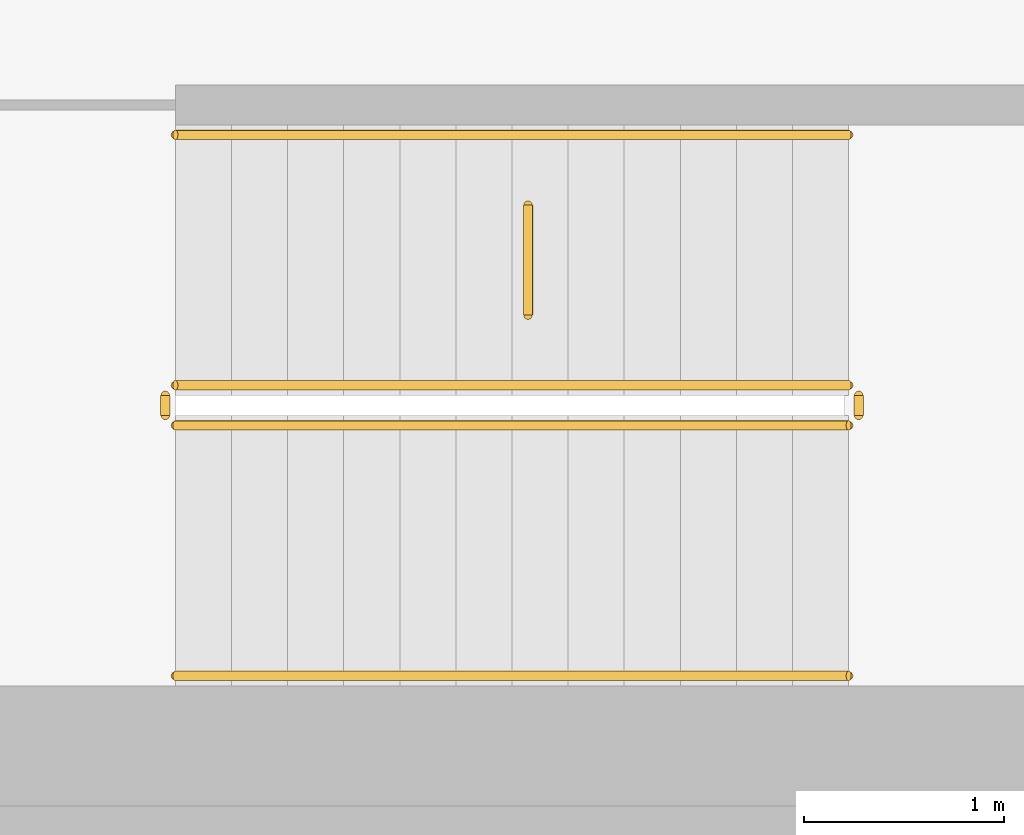
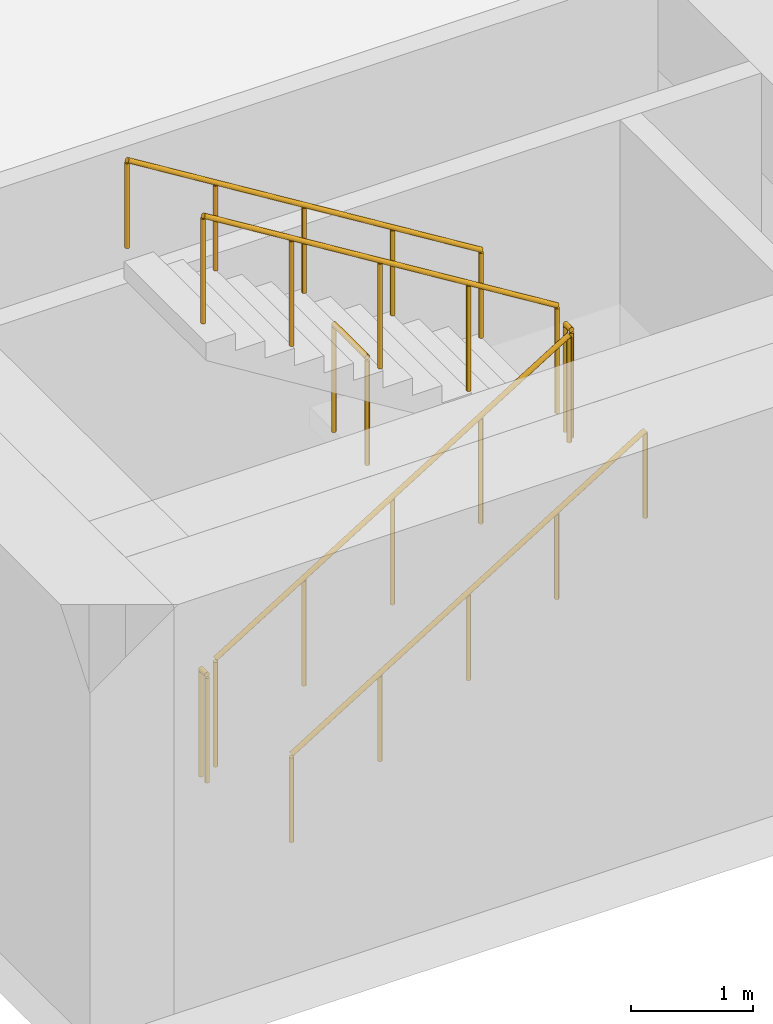
# One storey, part 15 of 21: 7 railings.
"""IFC4 building model written with IfcOpenShell, lengths in metres."""

from ifc_helpers import new_model, si_unit, direction, frame, origin, origin_2d, place, context, subcontext, project, spatial, circle, extrude, material, type_object, element, save


model = new_model("IFC4")

# Units and contexts
model_context = context("Model", 3, precision=1e-05, world=origin(), true_north=direction((0.0, 1.0)))
body_context = subcontext(model_context, "Body", "Model", "MODEL_VIEW")
ifc_project = project(units=[si_unit("LENGTHUNIT", "METRE"), si_unit("AREAUNIT", "SQUARE_METRE"), si_unit("VOLUMEUNIT", "CUBIC_METRE"), si_unit("PLANEANGLEUNIT", "RADIAN"), si_unit("MASSUNIT", "GRAM", prefix="KILO")], contexts=[model_context])

# Site, building, storey
site_placement = place(None, origin())
site = spatial("IfcSite", under=ifc_project, at=site_placement, CompositionType="ELEMENT")
building_placement = place(site_placement, origin())
building = spatial("IfcBuilding", under=site, at=building_placement, Name="Stone Belt Terrace Tower", CompositionType="ELEMENT")
storey_placement = place(building_placement, frame((0.0, 0.0, -9.0)))
storey = spatial("IfcBuildingStorey", under=building, at=storey_placement, Name="B2", CompositionType="ELEMENT", Elevation=-9.0)

# Railings
ifc_material_1 = material(Name="Structural steel C345", Category="steel")
railing_type_1 = type_object("IfcRailingType", Name="Car park guard 1100", PredefinedType="GUARDRAIL", material=ifc_material_1)
railing_1_placement = place(storey_placement, frame((-30.75, -48.800048828125, 0.173095703125)))
element("IfcRailing", 1, at=railing_1_placement, inside=storey, type_object=railing_type_1, Name="B2 CS1 stair guard 1", PredefinedType="GUARDRAIL", context=body_context, shape_type="SweptSolid", body=[
    extrude(circle(Radius=0.02392578125, at=origin_2d()), frame((0.0, 0.0, 1.076171875), z_axis=(0.850623216509, 0.0, 0.525775754039), x_axis=(0.0, 1.0, 0.0)), (0.0, 0.0, 1.0), 3.9501953125),
    extrude(circle(Radius=0.02099609375, at=origin_2d()), origin(), (0.0, 0.0, 1.0), 1.052001953125),
    extrude(circle(Radius=0.02099609375, at=origin_2d()), frame((0.840087890625, 0.0, 0.519287109375)), (0.0, 0.0, 1.0), 1.052001953125),
    extrude(circle(Radius=0.02099609375, at=origin_2d()), frame((1.68017578125, 0.0, 1.03857421875)), (0.0, 0.0, 1.0), 1.052001953125),
    extrude(circle(Radius=0.02099609375, at=origin_2d()), frame((2.52001953125, 0.0, 1.5576171875)), (0.0, 0.0, 1.0), 1.052001953125),
    extrude(circle(Radius=0.02099609375, at=origin_2d()), frame((3.360107421875, 0.0, 2.076904296875)), (0.0, 0.0, 1.0), 1.052001953125),
])
railing_2_placement = place(storey_placement, frame((-27.340087890625, -48.75, 2.25)))
element("IfcRailing", 2, at=railing_2_placement, inside=storey, type_object=railing_type_1, Name="B2 CS1 stair guard 2", PredefinedType="GUARDRAIL", context=body_context, shape_type="SweptSolid", body=[
    extrude(circle(Radius=0.02392578125, at=origin_2d()), frame((0.0, 0.0, 1.076171875), z_axis=(0.0, 1.0, 0.0), x_axis=(-1.0, 0.0, 0.0)), (0.0, 0.0, 1.0), 0.10009765625),
    extrude(circle(Radius=0.02099609375, at=origin_2d()), origin(), (0.0, 0.0, 1.0), 1.052001953125),
    extrude(circle(Radius=0.02099609375, at=origin_2d()), frame((0.0, 0.10009765625, 0.0)), (0.0, 0.0, 1.0), 1.052001953125),
])
railing_3_placement = place(storey_placement, frame((-27.389892578125, -48.60009765625, 2.423095703125)))
element("IfcRailing", 3, at=railing_3_placement, inside=storey, type_object=railing_type_1, Name="B2 CS1 stair guard 3", PredefinedType="GUARDRAIL", context=body_context, shape_type="SweptSolid", body=[
    extrude(circle(Radius=0.02392578125, at=origin_2d()), frame((0.0, 0.0, 1.076171875), z_axis=(-0.850623216509, 0.0, 0.525775754039), x_axis=(0.0, -1.0, 0.0)), (0.0, 0.0, 1.0), 3.9501953125),
    extrude(circle(Radius=0.02099609375, at=origin_2d()), origin(), (0.0, 0.0, 1.0), 1.052001953125),
    extrude(circle(Radius=0.02099609375, at=origin_2d()), frame((-0.840087890625, 0.0, 0.519287109375)), (0.0, 0.0, 1.0), 1.052001953125),
    extrude(circle(Radius=0.02099609375, at=origin_2d()), frame((-1.68017578125, 0.0, 1.03857421875)), (0.0, 0.0, 1.0), 1.052001953125),
    extrude(circle(Radius=0.02099609375, at=origin_2d()), frame((-2.52001953125, 0.0, 1.5576171875)), (0.0, 0.0, 1.0), 1.052001953125),
    extrude(circle(Radius=0.02099609375, at=origin_2d()), frame((-3.360107421875, 0.0, 2.076904296875)), (0.0, 0.0, 1.0), 1.052001953125),
])
railing_4_placement = place(storey_placement, frame((-30.800048828125, -48.75, 0.0)))
element("IfcRailing", 4, at=railing_4_placement, inside=storey, type_object=railing_type_1, Name="B2 CS1 stair guard 4", PredefinedType="GUARDRAIL", context=body_context, shape_type="SweptSolid", body=[
    extrude(circle(Radius=0.02392578125, at=origin_2d()), frame((0.0, 0.0, 1.076171875), z_axis=(0.0, 1.0, 0.0), x_axis=(-1.0, 0.0, 0.0)), (0.0, 0.0, 1.0), 0.10009765625),
    extrude(circle(Radius=0.02099609375, at=origin_2d()), origin(), (0.0, 0.0, 1.0), 1.052001953125),
    extrude(circle(Radius=0.02099609375, at=origin_2d()), frame((0.0, 0.10009765625, 0.0)), (0.0, 0.0, 1.0), 1.052001953125),
])
railing_5_placement = place(storey_placement, frame((-28.989990234375, -48.25, 2.25)))
element("IfcRailing", 5, at=railing_5_placement, inside=storey, type_object=railing_type_1, Name="Car park stair landing guard", PredefinedType="GUARDRAIL", context=body_context, shape_type="SweptSolid", body=[
    extrude(circle(Radius=0.02392578125, at=origin_2d()), frame((0.0, 0.0, 1.076171875), z_axis=(0.0, 1.0, 0.0), x_axis=(-1.0, 0.0, 0.0)), (0.0, 0.0, 1.0), 0.550048828125),
    extrude(circle(Radius=0.02099609375, at=origin_2d()), origin(), (0.0, 0.0, 1.0), 1.052001953125),
    extrude(circle(Radius=0.02099609375, at=origin_2d()), frame((0.0, 0.550048828125, 0.0)), (0.0, 0.0, 1.0), 1.052001953125),
])
ifc_material_2 = material(Name="Stainless steel", Category="steel")
railing_type_2 = type_object("IfcRailingType", Name="Car park handrail 900", PredefinedType="HANDRAIL", material=ifc_material_2)
railing_6_placement = place(storey_placement, frame((-30.75, -50.050048828125, 0.173095703125)))
element("IfcRailing", 6, at=railing_6_placement, inside=storey, type_object=railing_type_2, Name="B2 CS1 stair handrail 1", PredefinedType="HANDRAIL", context=body_context, shape_type="SweptSolid", body=[
    extrude(circle(Radius=0.02392578125, at=origin_2d()), frame((0.0, 0.0, 0.8759765625), z_axis=(0.850623216509, 0.0, 0.525775754039), x_axis=(0.0, 1.0, 0.0)), (0.0, 0.0, 1.0), 3.9501953125),
    extrude(circle(Radius=0.02099609375, at=origin_2d()), origin(), (0.0, 0.0, 1.0), 0.851806640625),
    extrude(circle(Radius=0.02099609375, at=origin_2d()), frame((0.840087890625, 0.0, 0.519287109375)), (0.0, 0.0, 1.0), 0.851806640625),
    extrude(circle(Radius=0.02099609375, at=origin_2d()), frame((1.68017578125, 0.0, 1.03857421875)), (0.0, 0.0, 1.0), 0.851806640625),
    extrude(circle(Radius=0.02099609375, at=origin_2d()), frame((2.52001953125, 0.0, 1.5576171875)), (0.0, 0.0, 1.0), 0.851806640625),
    extrude(circle(Radius=0.02099609375, at=origin_2d()), frame((3.360107421875, 0.0, 2.076904296875)), (0.0, 0.0, 1.0), 0.851806640625),
])
railing_7_placement = place(storey_placement, frame((-27.389892578125, -47.35009765625, 2.423095703125)))
element("IfcRailing", 7, at=railing_7_placement, inside=storey, type_object=railing_type_2, Name="B2 CS1 stair handrail 2", PredefinedType="HANDRAIL", context=body_context, shape_type="SweptSolid", body=[
    extrude(circle(Radius=0.02392578125, at=origin_2d()), frame((0.0, 0.0, 0.8759765625), z_axis=(-0.850623216509, 0.0, 0.525775754039), x_axis=(0.0, -1.0, 0.0)), (0.0, 0.0, 1.0), 3.9501953125),
    extrude(circle(Radius=0.02099609375, at=origin_2d()), origin(), (0.0, 0.0, 1.0), 0.851806640625),
    extrude(circle(Radius=0.02099609375, at=origin_2d()), frame((-0.840087890625, 0.0, 0.519287109375)), (0.0, 0.0, 1.0), 0.851806640625),
    extrude(circle(Radius=0.02099609375, at=origin_2d()), frame((-1.68017578125, 0.0, 1.03857421875)), (0.0, 0.0, 1.0), 0.851806640625),
    extrude(circle(Radius=0.02099609375, at=origin_2d()), frame((-2.52001953125, 0.0, 1.5576171875)), (0.0, 0.0, 1.0), 0.851806640625),
    extrude(circle(Radius=0.02099609375, at=origin_2d()), frame((-3.360107421875, 0.0, 2.076904296875)), (0.0, 0.0, 1.0), 0.851806640625),
])

save(model, "model.ifc")
